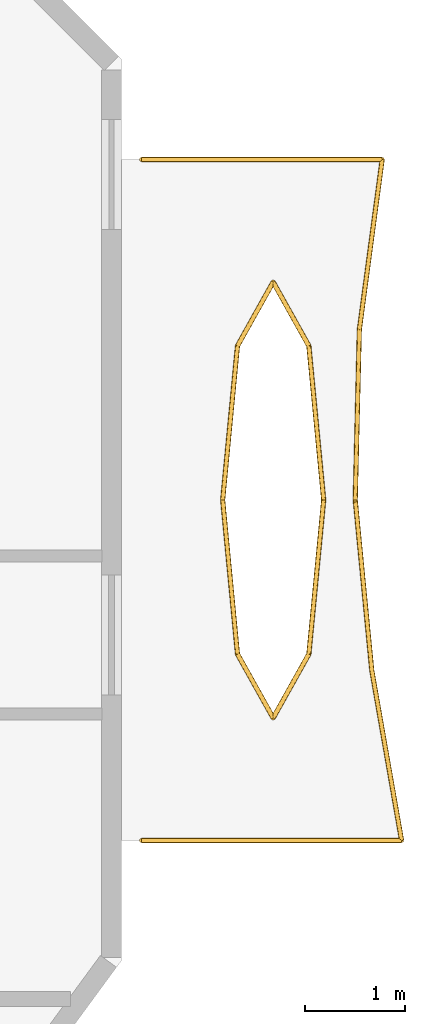
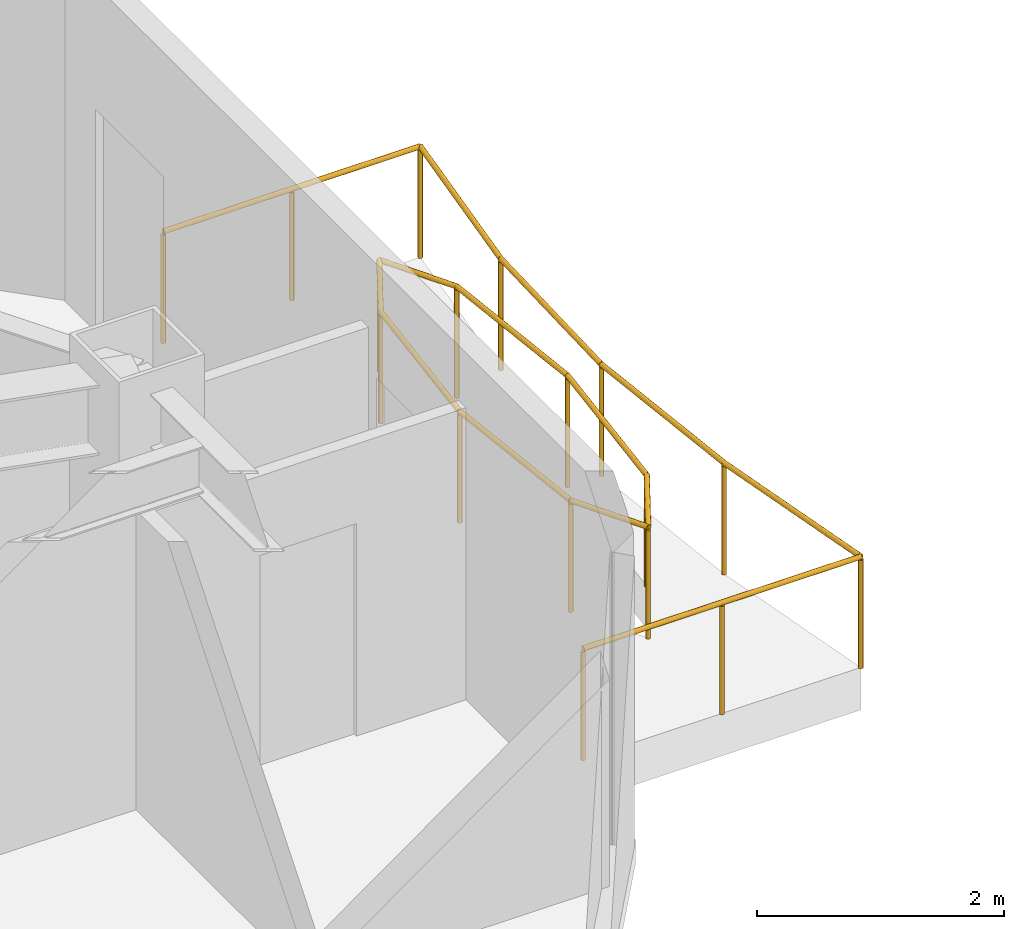
# One storey, part 10 of 10: 4 railings.
"""IFC4 building model written with IfcOpenShell, lengths in metres."""

from ifc_helpers import new_model, si_unit, direction, frame, origin, origin_2d, place, context, subcontext, project, spatial, circle, extrude, material, type_object, element, save


model = new_model("IFC4")

# Units and contexts
model_context = context("Model", 3, precision=1e-05, world=origin(), true_north=direction((0.0, 1.0)))
body_context = subcontext(model_context, "Body", "Model", "MODEL_VIEW")
ifc_project = project(units=[si_unit("LENGTHUNIT", "METRE"), si_unit("AREAUNIT", "SQUARE_METRE"), si_unit("VOLUMEUNIT", "CUBIC_METRE"), si_unit("PLANEANGLEUNIT", "RADIAN"), si_unit("MASSUNIT", "GRAM", prefix="KILO")], contexts=[model_context])

# Site, building, storey
site_placement = place(None, origin())
site = spatial("IfcSite", under=ifc_project, at=site_placement, CompositionType="ELEMENT")
building_placement = place(site_placement, origin())
building = spatial("IfcBuilding", under=site, at=building_placement, Name="Khamvora Tower", CompositionType="ELEMENT")
storey_placement = place(building_placement, frame((0.0, 0.0, 250.050048828125)))
storey = spatial("IfcBuildingStorey", under=building, at=storey_placement, Name="L64", CompositionType="ELEMENT", Elevation=250.050048828125)

# Railings
ifc_material = material(Name="Stainless Steel 316 and Laminated Glass", Category="steel")
railing_type = type_object("IfcRailingType", Name="RAL-GAL-1120", PredefinedType="GUARDRAIL", material=ifc_material)
railing_1_placement = place(storey_placement, frame((70.0, 32.199951171875, 0.0)))
element("IfcRailing", 1, at=railing_1_placement, inside=storey, type_object=railing_type, Name="L64 lens gallery south perimeter guardrail EL2", PredefinedType="GUARDRAIL", context=body_context, shape_type="SweptSolid", body=[
    extrude(circle(Radius=0.02392578125, at=origin_2d()), frame((0.0, 0.0, 1.09619140625), z_axis=(1.0, 0.0, 0.0), x_axis=(0.0, 1.0, 0.0)), (0.0, 0.0, 1.0), 2.597900390625),
    extrude(circle(Radius=0.02392578125, at=origin_2d()), frame((2.597900390625, 0.0, 1.09619140625), z_axis=(-0.172582783334, 0.984995016686, 0.0), x_axis=(-0.984995016686, -0.172582783334, 0.0)), (0.0, 0.0, 1.0), 1.725830078125),
    extrude(circle(Radius=0.02392578125, at=origin_2d()), frame((2.300048828125, 1.699951171875, 1.09619140625), z_axis=(-0.096616521546, 0.995321680546, 0.0), x_axis=(-0.995321680546, -0.096616521546, 0.0)), (0.0, 0.0, 1.0), 1.708251953125),
    extrude(circle(Radius=0.02099609375, at=origin_2d()), origin(), (0.0, 0.0, 1.0), 1.072021484375),
    extrude(circle(Radius=0.02099609375, at=origin_2d()), frame((1.298828125, 0.0, 0.0)), (0.0, 0.0, 1.0), 1.072021484375),
    extrude(circle(Radius=0.02099609375, at=origin_2d()), frame((2.597900390625, 0.0, 0.0)), (0.0, 0.0, 1.0), 1.072021484375),
    extrude(circle(Radius=0.02099609375, at=origin_2d()), frame((2.300048828125, 1.699951171875, 0.0)), (0.0, 0.0, 1.0), 1.072021484375),
    extrude(circle(Radius=0.02099609375, at=origin_2d()), frame((2.135009765625, 3.400146484375, 0.0)), (0.0, 0.0, 1.0), 1.072021484375),
])
railing_2_placement = place(storey_placement, frame((72.135009765625, 35.60009765625, 0.0)))
element("IfcRailing", 2, at=railing_2_placement, inside=storey, type_object=railing_type, Name="L64 lens gallery north perimeter guardrail EL2", PredefinedType="GUARDRAIL", context=body_context, shape_type="SweptSolid", body=[
    extrude(circle(Radius=0.02392578125, at=origin_2d()), frame((0.0, 0.0, 1.09619140625), z_axis=(0.024120511528, 0.999709058138, 0.0), x_axis=(-0.999709058138, 0.024120511528, 0.0)), (0.0, 0.0, 1.0), 1.700439453125),
    extrude(circle(Radius=0.02392578125, at=origin_2d()), frame((0.041015625, 1.699951171875, 1.09619140625), z_axis=(0.132946867324, 0.991123166145, 0.0), x_axis=(-0.991123166145, 0.132946867324, 0.0)), (0.0, 0.0, 1.0), 1.715087890625),
    extrude(circle(Radius=0.02392578125, at=origin_2d()), frame((0.26904296875, 3.39990234375, 1.09619140625), z_axis=(-1.0, 0.0, 0.0), x_axis=(0.0, -1.0, 0.0)), (0.0, 0.0, 1.0), 2.404052734375),
    extrude(circle(Radius=0.02099609375, at=origin_2d()), origin(), (0.0, 0.0, 1.0), 1.072021484375),
    extrude(circle(Radius=0.02099609375, at=origin_2d()), frame((0.041015625, 1.699951171875, 0.0)), (0.0, 0.0, 1.0), 1.072021484375),
    extrude(circle(Radius=0.02099609375, at=origin_2d()), frame((0.26904296875, 3.39990234375, 0.0)), (0.0, 0.0, 1.0), 1.072021484375),
    extrude(circle(Radius=0.02099609375, at=origin_2d()), frame((-0.93310546875, 3.39990234375, 0.0)), (0.0, 0.0, 1.0), 1.072021484375),
    extrude(circle(Radius=0.02099609375, at=origin_2d()), frame((-2.135009765625, 3.39990234375, 0.0)), (0.0, 0.0, 1.0), 1.072021484375),
])
railing_3_placement = place(storey_placement, frame((71.819091796875, 35.60009765625, 0.0)))
element("IfcRailing", 3, at=railing_3_placement, inside=storey, type_object=railing_type, Name="L64 lens gallery void guardrail EL2A", PredefinedType="GUARDRAIL", context=body_context, shape_type="SweptSolid", body=[
    extrude(circle(Radius=0.02392578125, at=origin_2d()), frame((0.0, 0.0, 1.09619140625), z_axis=(-0.095859855319, 0.995394840321, 0.0), x_axis=(-0.995394840321, -0.095859855319, 0.0)), (0.0, 0.0, 1.0), 1.5458984375),
    extrude(circle(Radius=0.02392578125, at=origin_2d()), frame((-0.148193359375, 1.538818359375, 1.09619140625), z_axis=(-0.487828856646, 0.872939291488, 0.0), x_axis=(-0.872939291488, -0.487828856646, 0.0)), (0.0, 0.0, 1.0), 0.729736328125),
    extrude(circle(Radius=0.02392578125, at=origin_2d()), frame((-0.504150390625, 2.17578125, 1.09619140625), z_axis=(-0.487828856646, -0.872939291488, 0.0), x_axis=(0.872939291488, -0.487828856646, 0.0)), (0.0, 0.0, 1.0), 0.729736328125),
    extrude(circle(Radius=0.02392578125, at=origin_2d()), frame((-0.860107421875, 1.538818359375, 1.09619140625), z_axis=(-0.09570337897, -0.995409897105, 0.0), x_axis=(0.995409897105, -0.09570337897, 0.0)), (0.0, 0.0, 1.0), 1.5458984375),
    extrude(circle(Radius=0.02099609375, at=origin_2d()), origin(), (0.0, 0.0, 1.0), 1.072021484375),
    extrude(circle(Radius=0.02099609375, at=origin_2d()), frame((-0.148193359375, 1.538818359375, 0.0)), (0.0, 0.0, 1.0), 1.072021484375),
    extrude(circle(Radius=0.02099609375, at=origin_2d()), frame((-0.504150390625, 2.17578125, 0.0)), (0.0, 0.0, 1.0), 1.072021484375),
    extrude(circle(Radius=0.02099609375, at=origin_2d()), frame((-0.860107421875, 1.538818359375, 0.0)), (0.0, 0.0, 1.0), 1.072021484375),
    extrude(circle(Radius=0.02099609375, at=origin_2d()), frame((-1.008056640625, 0.0, 0.0)), (0.0, 0.0, 1.0), 1.072021484375),
])
railing_4_placement = place(storey_placement, frame((70.81103515625, 35.60009765625, 0.0)))
element("IfcRailing", 4, at=railing_4_placement, inside=storey, type_object=railing_type, Name="L64 lens gallery void guardrail EL2B", PredefinedType="GUARDRAIL", context=body_context, shape_type="SweptSolid", body=[
    extrude(circle(Radius=0.02392578125, at=origin_2d()), frame((0.0, 0.0, 1.09619140625), z_axis=(0.095688336612, -0.995411343233, 0.0), x_axis=(0.995411343233, 0.095688336612, 0.0)), (0.0, 0.0, 1.0), 1.546142578125),
    extrude(circle(Radius=0.02392578125, at=origin_2d()), frame((0.14794921875, -1.5390625, 1.09619140625), z_axis=(0.487828856646, -0.872939291488, 0.0), x_axis=(0.872939291488, 0.487828856646, 0.0)), (0.0, 0.0, 1.0), 0.729736328125),
    extrude(circle(Radius=0.02392578125, at=origin_2d()), frame((0.50390625, -2.176025390625, 1.09619140625), z_axis=(0.487828856646, 0.872939291488, 0.0), x_axis=(-0.872939291488, 0.487828856646, 0.0)), (0.0, 0.0, 1.0), 0.729736328125),
    extrude(circle(Radius=0.02392578125, at=origin_2d()), frame((0.85986328125, -1.5390625, 1.09619140625), z_axis=(0.095844788822, 0.99539629116, 0.0), x_axis=(-0.99539629116, 0.095844788822, 0.0)), (0.0, 0.0, 1.0), 1.546142578125),
    extrude(circle(Radius=0.02099609375, at=origin_2d()), origin(), (0.0, 0.0, 1.0), 1.072021484375),
    extrude(circle(Radius=0.02099609375, at=origin_2d()), frame((0.14794921875, -1.5390625, 0.0)), (0.0, 0.0, 1.0), 1.072021484375),
    extrude(circle(Radius=0.02099609375, at=origin_2d()), frame((0.50390625, -2.176025390625, 0.0)), (0.0, 0.0, 1.0), 1.072021484375),
    extrude(circle(Radius=0.02099609375, at=origin_2d()), frame((0.85986328125, -1.5390625, 0.0)), (0.0, 0.0, 1.0), 1.072021484375),
    extrude(circle(Radius=0.02099609375, at=origin_2d()), frame((1.008056640625, 0.0, 0.0)), (0.0, 0.0, 1.0), 1.072021484375),
])

save(model, "model.ifc")
